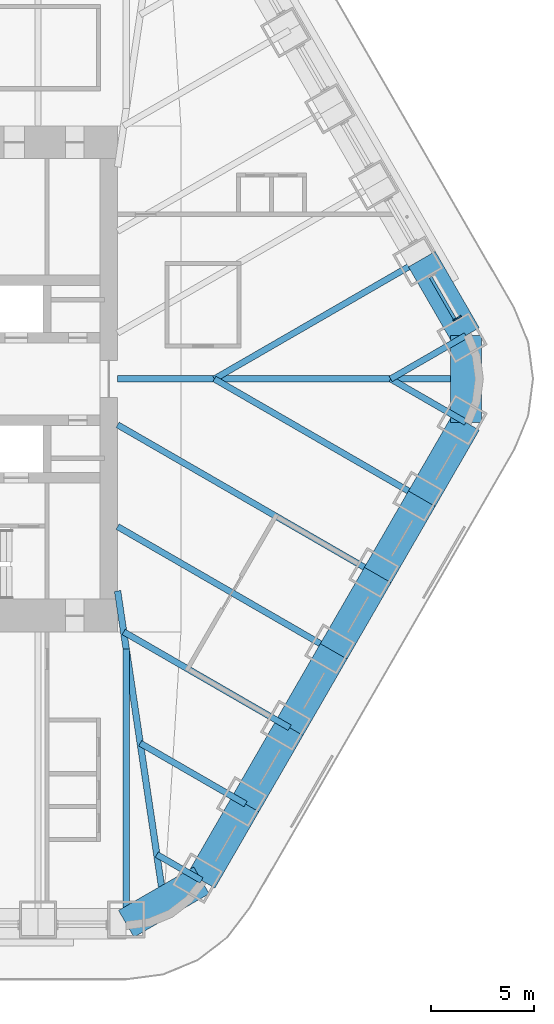
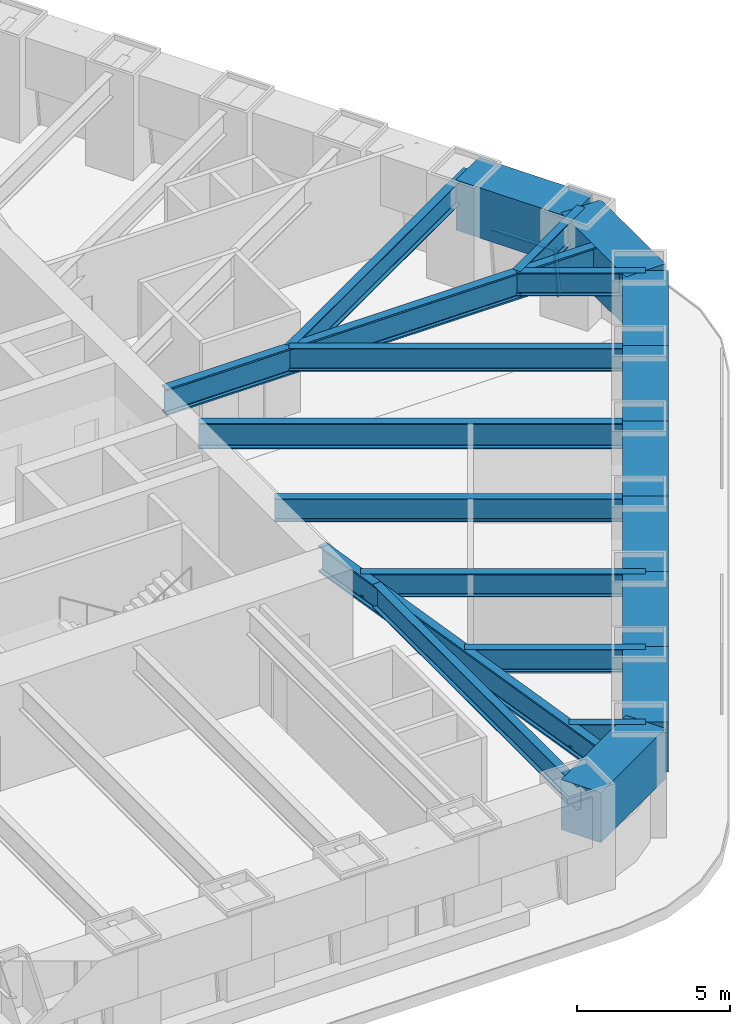
# One storey, part 5 of 18: 21 beams, 2 members, 1 element without a shape of its own.
"""IFC4 building model written with IfcOpenShell, lengths in metres."""

from ifc_helpers import new_model, si_unit, direction, frame, origin, origin_2d, place, context, subcontext, project, spatial, rectangle, i_section, extrude, material, material_profile, profile_set, type_object, element, aggregate, save


model = new_model("IFC4")

# Units and contexts
model_context = context("Model", 3, precision=1e-05, world=origin(), true_north=direction((0.0, 1.0)))
body_context = subcontext(model_context, "Body", "Model", "MODEL_VIEW")
ifc_project = project(units=[si_unit("LENGTHUNIT", "METRE"), si_unit("AREAUNIT", "SQUARE_METRE"), si_unit("VOLUMEUNIT", "CUBIC_METRE"), si_unit("PLANEANGLEUNIT", "RADIAN"), si_unit("MASSUNIT", "GRAM", prefix="KILO")], contexts=[model_context])

# Site, building, storey
site_placement = place(None, origin())
site = spatial("IfcSite", under=ifc_project, at=site_placement, CompositionType="ELEMENT")
building_placement = place(site_placement, origin())
building = spatial("IfcBuilding", under=site, at=building_placement, Name="Tarfa Lantern Tower", CompositionType="ELEMENT")
storey_placement = place(building_placement, frame((0.0, 0.0, 311.5)))
storey = spatial("IfcBuildingStorey", under=building, at=storey_placement, Name="L70", CompositionType="ELEMENT", Elevation=311.5)

# Curtain wall, members
ifc_material_1 = material(Name="Aluminium framed curtain wall", Category="aluminium")
curtain_wall_type = type_object("IfcCurtainWallType", Name="CW4 CANTED GLAZING EXECUTIVE ZONE 2000", PredefinedType="USERDEFINED", material=ifc_material_1)
curtain_wall_placement = place(storey_placement, origin())
curtain_wall = element("IfcCurtainWall", 1, at=curtain_wall_placement, inside=storey, type_object=curtain_wall_type, Name="CW4 NE L70", ObjectType="CURTAIN WALL", PredefinedType="USERDEFINED")
ifc_material_2 = material(Name="Aluminium mullion", Category="aluminium")
ifc_material_profile_1 = material_profile(ifc_material_2, rectangle(XDim=0.06494140625, YDim=0.199951171875, at=origin_2d()), Name="AL MULLION 65x200")
ifc_profile_set_1 = profile_set([ifc_material_profile_1], Name="Aluminium mullion")
member_type_1 = type_object("IfcMemberType", Name="CWM1 MULLION 65x200", PredefinedType="MULLION", material=ifc_profile_set_1)
member_1_placement = place(storey_placement, frame((29.036376953125, 3.007568359375, 0.0), z_axis=(-0.107439978116, -0.062017213975, 0.992275423596), x_axis=(0.499919672301, -0.866071776036, 0.0)))
member_1 = element("IfcMember", 2, at=member_1_placement, type_object=member_type_1, Name="CW4 mullion 1", PredefinedType="MULLION", context=body_context, shape_type="SweptSolid", body=[
    extrude(rectangle(XDim=0.06494140625, YDim=0.199951171875, at=origin_2d()), origin(), (0.0, 0.0, 1.0), 2.015625),
])
ifc_material_3 = material(Name="Aluminium transom", Category="aluminium")
ifc_material_profile_2 = material_profile(ifc_material_3, rectangle(XDim=0.14990234375, YDim=0.06494140625, at=origin_2d()), Name="AL TRANSOM 150x65")
ifc_profile_set_2 = profile_set([ifc_material_profile_2], Name="Aluminium transom")
member_type_2 = type_object("IfcMemberType", Name="CWT1 TRANSOM 150x65", PredefinedType="USERDEFINED", material=ifc_profile_set_2)
member_2_placement = place(storey_placement, frame((28.80712890625, 2.912841796875, 1.967529296875), z_axis=(-0.500012978079, 0.866017910757, 0.0), x_axis=(-0.866017910757, -0.500012978079, 0.0)))
member_2 = element("IfcMember", 3, at=member_2_placement, type_object=member_type_2, Name="CW4 transom 1.2", ObjectType="TRANSOM", PredefinedType="USERDEFINED", context=body_context, shape_type="SweptSolid", body=[
    extrude(rectangle(XDim=0.14990234375, YDim=0.06494140625, at=origin_2d()), origin(), (0.0, 0.0, 1.0), 2.35205078125),
])
aggregate(curtain_wall, [member_1, member_2])

# Beams
ifc_material_4 = material(Name="Concrete C80/95", Category="concrete")
ifc_material_profile_3 = material_profile(ifc_material_4, rectangle(XDim=1.5, YDim=2.0, at=origin_2d()), Name="RC 1500x2000")
ifc_profile_set_3 = profile_set([ifc_material_profile_3], Name="Concrete C80/95")
beam_type_1 = type_object("IfcBeamType", Name="RB3 RC 1500x2000", PredefinedType="BEAM", material=ifc_profile_set_3)
beam_1_placement = place(storey_placement, frame((29.3466796875, 2.110107421875, 3.0), z_axis=(-0.499984039138, 0.866034618596, 0.0), x_axis=(-0.866034618596, -0.499984039138, 0.0)))
element("IfcBeam", 4, at=beam_1_placement, inside=storey, type_object=beam_type_1, Name="Edge beam NE0", PredefinedType="BEAM", context=body_context, shape_type="SweptSolid", body=[
    extrude(rectangle(XDim=1.5, YDim=2.0, at=origin_2d()), origin(), (0.0, 0.0, 1.0), 4.281982421875),
])
beam_2_placement = place(storey_placement, frame((12.845947265625, -26.469970703125, 3.0), z_axis=(0.866048788483, 0.499959494327, 0.0), x_axis=(-0.499959494327, 0.866048788483, 0.0)))
element("IfcBeam", 5, at=beam_2_placement, inside=storey, type_object=beam_type_1, Name="Edge beam S6", PredefinedType="BEAM", context=body_context, shape_type="SweptSolid", body=[
    extrude(rectangle(XDim=1.5, YDim=2.0, at=origin_2d()), origin(), (0.0, 0.0, 1.0), 4.219970703125),
])
for number, where, z_axis, x_axis, name in (
    (6, (16.500732421875, -24.360107421875, 3.0), (0.499959351497, 0.866048870937, 0.0), (-0.866048870937, 0.499959351497, 0.0), "Edge beam SE0"),
    (7, (18.6416015625, -20.651611328125, 3.0), (0.500026801138, 0.866009929587, 0.0), (-0.866009929587, 0.500026801138, 0.0), "Edge beam SE1"),
    (8, (20.78271484375, -16.943359375, 3.0), (0.499984039138, 0.866034618596, 0.0), (-0.866034618596, 0.499984039138, 0.0), "Edge beam SE2"),
):
    element("IfcBeam", number, at=place(storey_placement, frame(where, z_axis=z_axis, x_axis=x_axis)), inside=storey, type_object=beam_type_1, Name=name, PredefinedType="BEAM", context=body_context, shape_type="SweptSolid", body=[
        extrude(rectangle(XDim=1.5, YDim=2.0, at=origin_2d()), origin(), (0.0, 0.0, 1.0), 4.281982421875),
    ])
beam_3_placement = place(storey_placement, frame((22.923583984375, -13.235107421875, 3.0), z_axis=(0.500002112793, 0.866024183959, 0.0), x_axis=(-0.866024183959, 0.500002112793, 0.0)))
element("IfcBeam", 9, at=beam_3_placement, inside=storey, type_object=beam_type_1, Name="Edge beam SE3", PredefinedType="BEAM", context=body_context, shape_type="SweptSolid", body=[
    extrude(rectangle(XDim=1.5, YDim=2.0, at=origin_2d()), origin(), (0.0, 0.0, 1.0), 4.2822265625),
])
for number, where, z_axis, x_axis, name in (
    (10, (25.064697265625, -9.526611328125, 3.0), (0.500026801138, 0.866009929587, 0.0), (-0.866009929587, 0.500026801138, 0.0), "Edge beam SE4"),
    (11, (27.205810546875, -5.818359375, 3.0), (0.499984039138, 0.866034618596, 0.0), (-0.866034618596, 0.499984039138, 0.0), "Edge beam SE5"),
):
    element("IfcBeam", number, at=place(storey_placement, frame(where, z_axis=z_axis, x_axis=x_axis)), inside=storey, type_object=beam_type_1, Name=name, PredefinedType="BEAM", context=body_context, shape_type="SweptSolid", body=[
        extrude(rectangle(XDim=1.5, YDim=2.0, at=origin_2d()), origin(), (0.0, 0.0, 1.0), 4.281982421875),
    ])
beam_4_placement = place(storey_placement, frame((29.3466796875, -2.110107421875, 3.0), z_axis=(0.0, 1.0, 0.0), x_axis=(-1.0, 0.0, 0.0)))
element("IfcBeam", 12, at=beam_4_placement, inside=storey, type_object=beam_type_1, Name="Edge beam SE6", PredefinedType="BEAM", context=body_context, shape_type="SweptSolid", body=[
    extrude(rectangle(XDim=1.5, YDim=2.0, at=origin_2d()), origin(), (0.0, 0.0, 1.0), 4.22021484375),
])
ifc_material_5 = material(Name="Steel S460M", Category="steel")
ifc_material_profile_4 = material_profile(ifc_material_5, i_section(OverallWidth=0.302001953125, OverallDepth=1.008056640625, WebThickness=0.02099609375, FlangeThickness=0.0400390625, FilletRadius=0.030029296875, at=origin_2d()), Name="UB1016x305x349")
ifc_profile_set_4 = profile_set([ifc_material_profile_4], Name="Steel S460M")
beam_type_2 = type_object("IfcBeamType", Name="UB1016x305x349", PredefinedType="BEAM", material=ifc_profile_set_4)
beam_5_placement = place(storey_placement, frame((25.064697265625, -9.526611328125, 3.495849609375), z_axis=(-0.866029591389, 0.499992746786, 0.0), x_axis=(-0.499992746786, -0.866029591389, 0.0)))
element("IfcBeam", 13, at=beam_5_placement, inside=storey, type_object=beam_type_2, Name="Floor beam SE4", PredefinedType="BEAM", context=body_context, shape_type="SweptSolid", body=[
    extrude(i_section(OverallWidth=0.302001953125, OverallDepth=1.008056640625, WebThickness=0.02099609375, FlangeThickness=0.0400390625, FilletRadius=0.030029296875, at=origin_2d()), origin(), (0.0, 0.0, 1.0), 14.594970703125),
])
ifc_material_profile_5 = material_profile(ifc_material_5, i_section(OverallWidth=0.314208984375, OverallDepth=1.055908203125, WebThickness=0.035888671875, FlangeThickness=0.06396484375, FilletRadius=0.030029296875, at=origin_2d()), Name="UB1016x305x584")
ifc_profile_set_5 = profile_set([ifc_material_profile_5], Name="Steel S460M")
beam_type_3 = type_object("IfcBeamType", Name="UB1016x305x584", PredefinedType="BEAM", material=ifc_profile_set_5)
beam_6_placement = place(storey_placement, frame((12.425048828125, 0.0, 3.471923828125), z_axis=(1.0, 0.0, 0.0), x_axis=(0.0, 1.0, 0.0)))
element("IfcBeam", 14, at=beam_6_placement, inside=storey, type_object=beam_type_3, Name="Hip girder E", PredefinedType="BEAM", context=body_context, shape_type="SweptSolid", body=[
    extrude(i_section(OverallWidth=0.314208984375, OverallDepth=1.055908203125, WebThickness=0.035888671875, FlangeThickness=0.06396484375, FilletRadius=0.030029296875, at=origin_2d()), origin(), (0.0, 0.0, 1.0), 16.921630859375),
])
beam_7_placement = place(storey_placement, frame((12.425048828125, -10.300048828125, 3.471923828125), z_axis=(0.147127069073, -0.989117599452, 0.0), x_axis=(0.989117599452, 0.147127069073, 0.0)))
element("IfcBeam", 15, at=beam_7_placement, inside=storey, type_object=beam_type_3, Name="Hip girder SE", PredefinedType="BEAM", context=body_context, shape_type="SweptSolid", body=[
    extrude(i_section(OverallWidth=0.314208984375, OverallDepth=1.055908203125, WebThickness=0.035888671875, FlangeThickness=0.06396484375, FilletRadius=0.030029296875, at=origin_2d()), origin(), (0.0, 0.0, 1.0), 15.28125),
])
ifc_material_profile_6 = material_profile(ifc_material_5, i_section(OverallWidth=0.305419921875, OverallDepth=0.91845703125, WebThickness=0.017333984375, FlangeThickness=0.02783203125, FilletRadius=0.01904296875, at=origin_2d()), Name="UB914x305x253")
ifc_profile_set_6 = profile_set([ifc_material_profile_6], Name="Steel S460M")
beam_type_4 = type_object("IfcBeamType", Name="UB914x305x253", PredefinedType="BEAM", material=ifc_profile_set_6)
beam_8_placement = place(storey_placement, frame((29.3466796875, 2.110107421875, 3.540771484375), z_axis=(-0.866009274789, -0.500027935199, 0.0), x_axis=(0.500027935199, -0.866009274789, 0.0)))
element("IfcBeam", 16, at=beam_8_placement, inside=storey, type_object=beam_type_4, Name="Floor beam NE0", PredefinedType="BEAM", context=body_context, shape_type="SweptSolid", body=[
    extrude(i_section(OverallWidth=0.305419921875, OverallDepth=0.91845703125, WebThickness=0.017333984375, FlangeThickness=0.02783203125, FilletRadius=0.01904296875, at=origin_2d()), origin(), (0.0, 0.0, 1.0), 4.219970703125),
])
beam_9_placement = place(storey_placement, frame((27.205810546875, 5.818359375, 3.540771484375), z_axis=(-0.866024171998, -0.500002133511, 0.0), x_axis=(0.500002133511, -0.866024171998, 0.0)))
element("IfcBeam", 17, at=beam_9_placement, inside=storey, type_object=beam_type_4, Name="Floor beam NE1", PredefinedType="BEAM", context=body_context, shape_type="SweptSolid", body=[
    extrude(i_section(OverallWidth=0.305419921875, OverallDepth=0.91845703125, WebThickness=0.017333984375, FlangeThickness=0.02783203125, FilletRadius=0.01904296875, at=origin_2d()), origin(), (0.0, 0.0, 1.0), 11.63671875),
])
beam_10_placement = place(storey_placement, frame((12.845947265625, -26.469970703125, 3.540771484375), z_axis=(0.0, 1.0, 0.0), x_axis=(-1.0, 0.0, 0.0)))
element("IfcBeam", 18, at=beam_10_placement, inside=storey, type_object=beam_type_4, Name="Floor beam S6", PredefinedType="BEAM", context=body_context, shape_type="SweptSolid", body=[
    extrude(i_section(OverallWidth=0.305419921875, OverallDepth=0.91845703125, WebThickness=0.017333984375, FlangeThickness=0.02783203125, FilletRadius=0.01904296875, at=origin_2d()), origin(), (0.0, 0.0, 1.0), 13.33935546875),
])
beam_11_placement = place(storey_placement, frame((16.500732421875, -24.360107421875, 3.540771484375), z_axis=(-0.865992557167, 0.500056887695, 0.0), x_axis=(-0.500056887695, -0.865992557167, 0.0)))
element("IfcBeam", 19, at=beam_11_placement, inside=storey, type_object=beam_type_4, Name="Floor beam SE0", PredefinedType="BEAM", context=body_context, shape_type="SweptSolid", body=[
    extrude(i_section(OverallWidth=0.305419921875, OverallDepth=0.91845703125, WebThickness=0.017333984375, FlangeThickness=0.02783203125, FilletRadius=0.01904296875, at=origin_2d()), origin(), (0.0, 0.0, 1.0), 2.506591796875),
])
beam_12_placement = place(storey_placement, frame((18.6416015625, -20.651611328125, 3.540771484375), z_axis=(-0.866024549157, 0.500001480256, 0.0), x_axis=(-0.500001480256, -0.866024549157, 0.0)))
element("IfcBeam", 20, at=beam_12_placement, inside=storey, type_object=beam_type_4, Name="Floor beam SE1", PredefinedType="BEAM", context=body_context, shape_type="SweptSolid", body=[
    extrude(i_section(OverallWidth=0.305419921875, OverallDepth=0.91845703125, WebThickness=0.017333984375, FlangeThickness=0.02783203125, FilletRadius=0.01904296875, at=origin_2d()), origin(), (0.0, 0.0, 1.0), 5.90771484375),
])
beam_13_placement = place(storey_placement, frame((20.78271484375, -16.943359375, 3.540771484375), z_axis=(-0.866021806508, 0.500006230613, 0.0), x_axis=(-0.500006230613, -0.866021806508, 0.0)))
element("IfcBeam", 21, at=beam_13_placement, inside=storey, type_object=beam_type_4, Name="Floor beam SE2", PredefinedType="BEAM", context=body_context, shape_type="SweptSolid", body=[
    extrude(i_section(OverallWidth=0.305419921875, OverallDepth=0.91845703125, WebThickness=0.017333984375, FlangeThickness=0.02783203125, FilletRadius=0.01904296875, at=origin_2d()), origin(), (0.0, 0.0, 1.0), 9.30908203125),
])
beam_14_placement = place(storey_placement, frame((22.923583984375, -13.235107421875, 3.540771484375), z_axis=(-0.86601856927, 0.500011837539, 0.0), x_axis=(-0.500011837539, -0.86601856927, 0.0)))
element("IfcBeam", 22, at=beam_14_placement, inside=storey, type_object=beam_type_4, Name="Floor beam SE3", PredefinedType="BEAM", context=body_context, shape_type="SweptSolid", body=[
    extrude(i_section(OverallWidth=0.305419921875, OverallDepth=0.91845703125, WebThickness=0.017333984375, FlangeThickness=0.02783203125, FilletRadius=0.01904296875, at=origin_2d()), origin(), (0.0, 0.0, 1.0), 12.122802734375),
])
beam_15_placement = place(storey_placement, frame((27.205810546875, -5.818359375, 3.540771484375), z_axis=(-0.866024171998, 0.500002133511, 0.0), x_axis=(-0.500002133511, -0.866024171998, 0.0)))
element("IfcBeam", 23, at=beam_15_placement, inside=storey, type_object=beam_type_4, Name="Floor beam SE5", PredefinedType="BEAM", context=body_context, shape_type="SweptSolid", body=[
    extrude(i_section(OverallWidth=0.305419921875, OverallDepth=0.91845703125, WebThickness=0.017333984375, FlangeThickness=0.02783203125, FilletRadius=0.01904296875, at=origin_2d()), origin(), (0.0, 0.0, 1.0), 11.63671875),
])
beam_16_placement = place(storey_placement, frame((29.3466796875, -2.110107421875, 3.540771484375), z_axis=(-0.866009274789, 0.500027935199, 0.0), x_axis=(-0.500027935199, -0.866009274789, 0.0)))
element("IfcBeam", 24, at=beam_16_placement, inside=storey, type_object=beam_type_4, Name="Floor beam SE6", PredefinedType="BEAM", context=body_context, shape_type="SweptSolid", body=[
    extrude(i_section(OverallWidth=0.305419921875, OverallDepth=0.91845703125, WebThickness=0.017333984375, FlangeThickness=0.02783203125, FilletRadius=0.01904296875, at=origin_2d()), origin(), (0.0, 0.0, 1.0), 4.219970703125),
])

save(model, "model.ifc")
